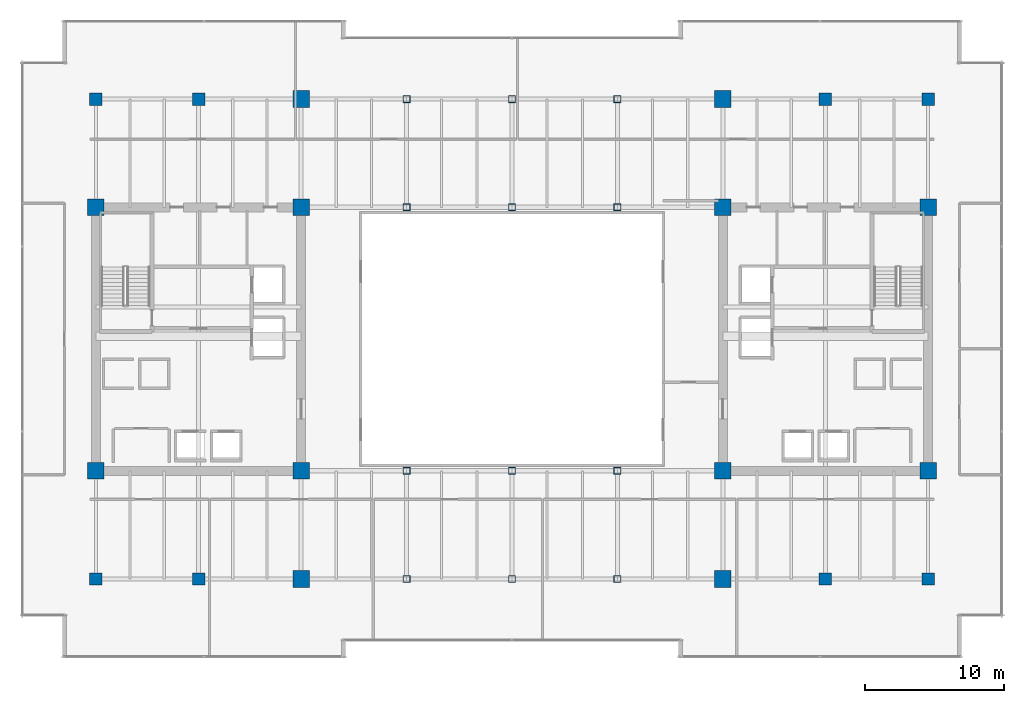
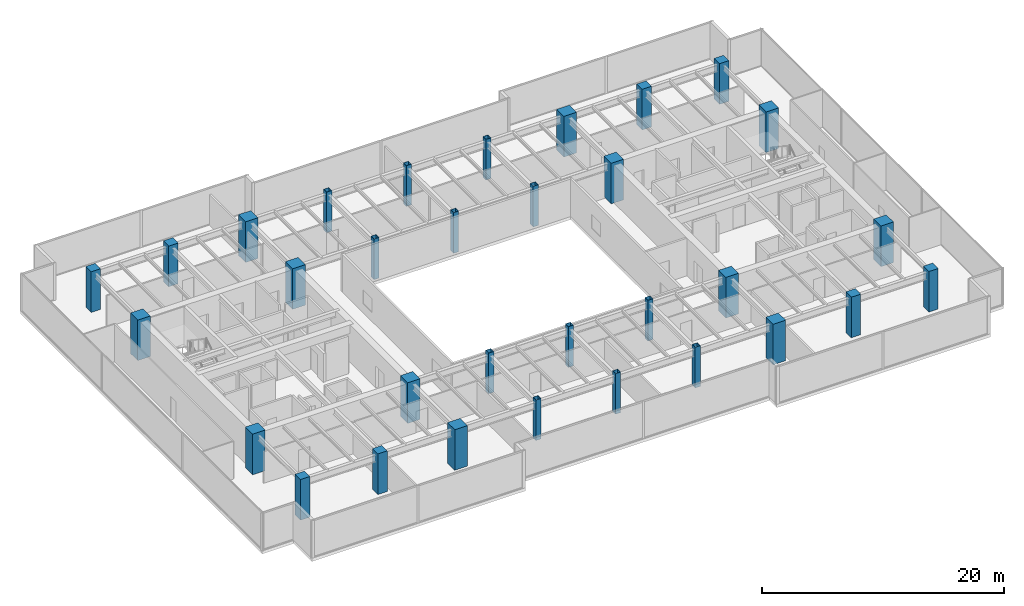
# One storey, part 1 of 30: 32 columns.
"""IFC4 building model written with IfcOpenShell, lengths in metres."""

from ifc_helpers import new_model, si_unit, direction, frame, origin, origin_2d, place, context, subcontext, project, spatial, rectangle, hollow_rectangle, extrude, source, transform, mapped, material, material_profile, profile_set, type_object, type_shapes, element, save


model = new_model("IFC4")

# Units and contexts
model_context = context("Model", 3, precision=1e-05, world=origin(), true_north=direction((0.0, 1.0)))
body_context = subcontext(model_context, "Body", "Model", "MODEL_VIEW")
ifc_project = project(units=[si_unit("LENGTHUNIT", "METRE"), si_unit("AREAUNIT", "SQUARE_METRE"), si_unit("VOLUMEUNIT", "CUBIC_METRE"), si_unit("PLANEANGLEUNIT", "RADIAN"), si_unit("MASSUNIT", "GRAM", prefix="KILO")], contexts=[model_context])

# Site, building, storey
site_placement = place(None, origin())
site = spatial("IfcSite", under=ifc_project, at=site_placement, CompositionType="ELEMENT")
building_placement = place(site_placement, origin())
building = spatial("IfcBuilding", under=site, at=building_placement, Name="Haelvirn Gate Laboratories", CompositionType="ELEMENT")
storey_placement = place(building_placement, frame((0.0, 0.0, 183.0)))
storey = spatial("IfcBuildingStorey", under=building, at=storey_placement, Name="L44", CompositionType="ELEMENT", Elevation=183.0)

# Columns
ifc_material_1 = material(Name="Concrete C50/60", Category="concrete")
ifc_material_profile_1 = material_profile(ifc_material_1, rectangle(XDim=0.89990234375, YDim=0.89990234375, at=origin_2d()), Name="RC-900x900")
ifc_profile_set_1 = profile_set([ifc_material_profile_1], Name="Concrete C50/60")
column_type_1 = type_object("IfcColumnType", Name="COL-RC-900", PredefinedType="COLUMN", material=ifc_profile_set_1)
shared_shape_1 = source(origin(), body_context, "Body", "SweptSolid", [
    extrude(rectangle(XDim=0.89990234375, YDim=0.89990234375, at=origin_2d()), origin(), (0.0, 0.0, 1.0), 4.10009765625),
])
type_shapes(column_type_1, [shared_shape_1])
for number, where, z_axis, x_axis, name in (
    (1, (14.800048828125, 7.0, 0.0), (0.0, 0.0, 1.0), (1.0, 0.0, 0.0), "L44 Column 3B"),
    (2, (14.800048828125, 41.60009765625, 0.0), (0.0, 0.0, 1.0), (1.0, 0.0, 0.0), "L44 Column 3G"),
    (3, (60.0, 7.0, 0.0), (0.0, 0.0, 1.0), (1.0, 0.0, 0.0), "L44 Column 9B"),
    (4, (60.0, 41.60009765625, 0.0), (0.0, 0.0, 1.0), (1.0, 0.0, 0.0), "L44 Column 9G"),
    (5, (7.39990234375, 7.0, 0.0), (0.0, 0.0, 1.0), (1.0, 0.0, 0.0), "L44 Column 2B"),
    (6, (7.39990234375, 41.60009765625, 0.0), (0.0, 0.0, 1.0), (1.0, 0.0, 0.0), "L44 Column 2G"),
    (7, (67.39990234375, 7.0, 0.0), (0.0, 0.0, 1.0), (1.0, 0.0, 0.0), "L44 Column 10B"),
    (8, (67.39990234375, 41.60009765625, 0.0), (0.0, 0.0, 1.0), (1.0, 0.0, 0.0), "L44 Column 10G"),
):
    element("IfcColumn", number, at=place(storey_placement, frame(where, z_axis=z_axis, x_axis=x_axis)), inside=storey, type_object=column_type_1, Name=name, PredefinedType="COLUMN", context=body_context, shape_type="MappedRepresentation", body=[
        mapped(shared_shape_1, transform((0.0, 0.0, 0.0), scale=1.0)),
    ])
ifc_material_2 = material(Name="Concrete C60/75", Category="concrete")
ifc_material_profile_2 = material_profile(ifc_material_2, rectangle(XDim=1.199951171875, YDim=1.199951171875, at=origin_2d()), Name="SRC-1200x1200")
ifc_profile_set_2 = profile_set([ifc_material_profile_2], Name="Concrete C60/75")
column_type_2 = type_object("IfcColumnType", Name="COL-SRC-1200", PredefinedType="COLUMN", material=ifc_profile_set_2)
shared_shape_2 = source(origin(), body_context, "Body", "SweptSolid", [
    extrude(rectangle(XDim=1.199951171875, YDim=1.199951171875, at=origin_2d()), origin(), (0.0, 0.0, 1.0), 4.10009765625),
])
type_shapes(column_type_2, [shared_shape_2])
for number, where, z_axis, x_axis, name in (
    (9, (22.199951171875, 7.0, 0.0), (0.0, 0.0, 1.0), (1.0, 0.0, 0.0), "L44 Column 4B"),
    (10, (7.39990234375, 14.800048828125, 0.0), (0.0, 0.0, 1.0), (1.0, 0.0, 0.0), "L44 Column 2C"),
    (11, (22.199951171875, 14.800048828125, 0.0), (0.0, 0.0, 1.0), (1.0, 0.0, 0.0), "L44 Column 4C"),
    (12, (7.39990234375, 33.800048828125, 0.0), (0.0, 0.0, 1.0), (1.0, 0.0, 0.0), "L44 Column 2F"),
    (13, (22.199951171875, 33.800048828125, 0.0), (0.0, 0.0, 1.0), (1.0, 0.0, 0.0), "L44 Column 4F"),
    (14, (22.199951171875, 41.60009765625, 0.0), (0.0, 0.0, 1.0), (1.0, 0.0, 0.0), "L44 Column 4G"),
    (15, (52.60009765625, 7.0, 0.0), (0.0, 0.0, 1.0), (1.0, 0.0, 0.0), "L44 Column 8B"),
    (16, (52.60009765625, 14.800048828125, 0.0), (0.0, 0.0, 1.0), (1.0, 0.0, 0.0), "L44 Column 8C"),
    (17, (67.39990234375, 14.800048828125, 0.0), (0.0, 0.0, 1.0), (1.0, 0.0, 0.0), "L44 Column 10C"),
    (18, (52.60009765625, 33.800048828125, 0.0), (0.0, 0.0, 1.0), (1.0, 0.0, 0.0), "L44 Column 8F"),
    (19, (67.39990234375, 33.800048828125, 0.0), (0.0, 0.0, 1.0), (1.0, 0.0, 0.0), "L44 Column 10F"),
    (20, (52.60009765625, 41.60009765625, 0.0), (0.0, 0.0, 1.0), (1.0, 0.0, 0.0), "L44 Column 8G"),
):
    element("IfcColumn", number, at=place(storey_placement, frame(where, z_axis=z_axis, x_axis=x_axis)), inside=storey, type_object=column_type_2, Name=name, PredefinedType="COLUMN", context=body_context, shape_type="MappedRepresentation", body=[
        mapped(shared_shape_2, transform((0.0, 0.0, 0.0), scale=1.0)),
    ])
ifc_material_3 = material(Name="Steel SM355", Category="steel")
ifc_material_profile_3 = material_profile(ifc_material_3, hollow_rectangle(XDim=0.5, YDim=0.5, WallThickness=0.02197265625, at=origin_2d()), Name="BOX-500x500x22")
ifc_profile_set_3 = profile_set([ifc_material_profile_3], Name="Steel SM355")
column_type_3 = type_object("IfcColumnType", Name="COL-BOX-500", PredefinedType="COLUMN", material=ifc_profile_set_3)
shared_shape_3 = source(origin(), body_context, "Body", "SweptSolid", [
    extrude(hollow_rectangle(XDim=0.5, YDim=0.5, WallThickness=0.02197265625, at=origin_2d()), origin(), (0.0, 0.0, 1.0), 4.10009765625),
])
type_shapes(column_type_3, [shared_shape_3])
for number, where, z_axis, x_axis, name in (
    (21, (29.800048828125, 7.0, 0.0), (0.0, 0.0, 1.0), (1.0, 0.0, 0.0), "L44 Column 5B"),
    (22, (29.800048828125, 14.800048828125, 0.0), (0.0, 0.0, 1.0), (1.0, 0.0, 0.0), "L44 Column 5C"),
    (23, (29.800048828125, 33.800048828125, 0.0), (0.0, 0.0, 1.0), (1.0, 0.0, 0.0), "L44 Column 5F"),
    (24, (29.800048828125, 41.60009765625, 0.0), (0.0, 0.0, 1.0), (1.0, 0.0, 0.0), "L44 Column 5G"),
    (25, (37.39990234375, 7.0, 0.0), (0.0, 0.0, 1.0), (1.0, 0.0, 0.0), "L44 Column 6B"),
    (26, (37.39990234375, 14.800048828125, 0.0), (0.0, 0.0, 1.0), (1.0, 0.0, 0.0), "L44 Column 6C"),
    (27, (37.39990234375, 33.800048828125, 0.0), (0.0, 0.0, 1.0), (1.0, 0.0, 0.0), "L44 Column 6F"),
    (28, (37.39990234375, 41.60009765625, 0.0), (0.0, 0.0, 1.0), (1.0, 0.0, 0.0), "L44 Column 6G"),
    (29, (45.0, 7.0, 0.0), (0.0, 0.0, 1.0), (1.0, 0.0, 0.0), "L44 Column 7B"),
    (30, (45.0, 14.800048828125, 0.0), (0.0, 0.0, 1.0), (1.0, 0.0, 0.0), "L44 Column 7C"),
    (31, (45.0, 33.800048828125, 0.0), (0.0, 0.0, 1.0), (1.0, 0.0, 0.0), "L44 Column 7F"),
    (32, (45.0, 41.60009765625, 0.0), (0.0, 0.0, 1.0), (1.0, 0.0, 0.0), "L44 Column 7G"),
):
    element("IfcColumn", number, at=place(storey_placement, frame(where, z_axis=z_axis, x_axis=x_axis)), inside=storey, type_object=column_type_3, Name=name, PredefinedType="COLUMN", context=body_context, shape_type="MappedRepresentation", body=[
        mapped(shared_shape_3, transform((0.0, 0.0, 0.0), scale=1.0)),
    ])

save(model, "model.ifc")
